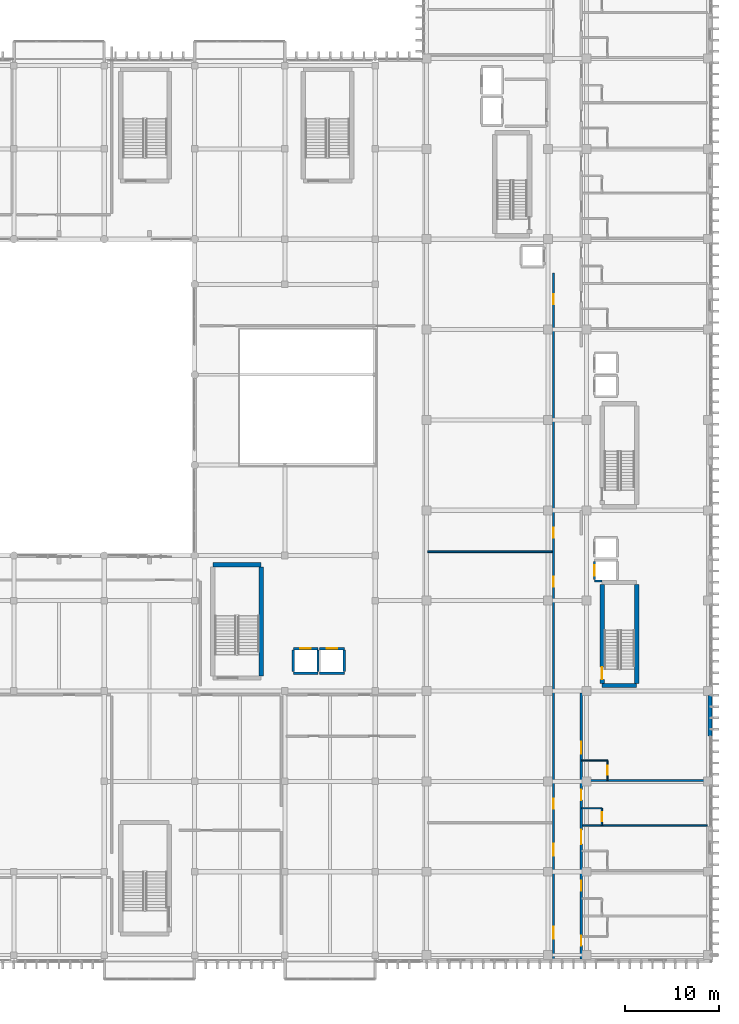
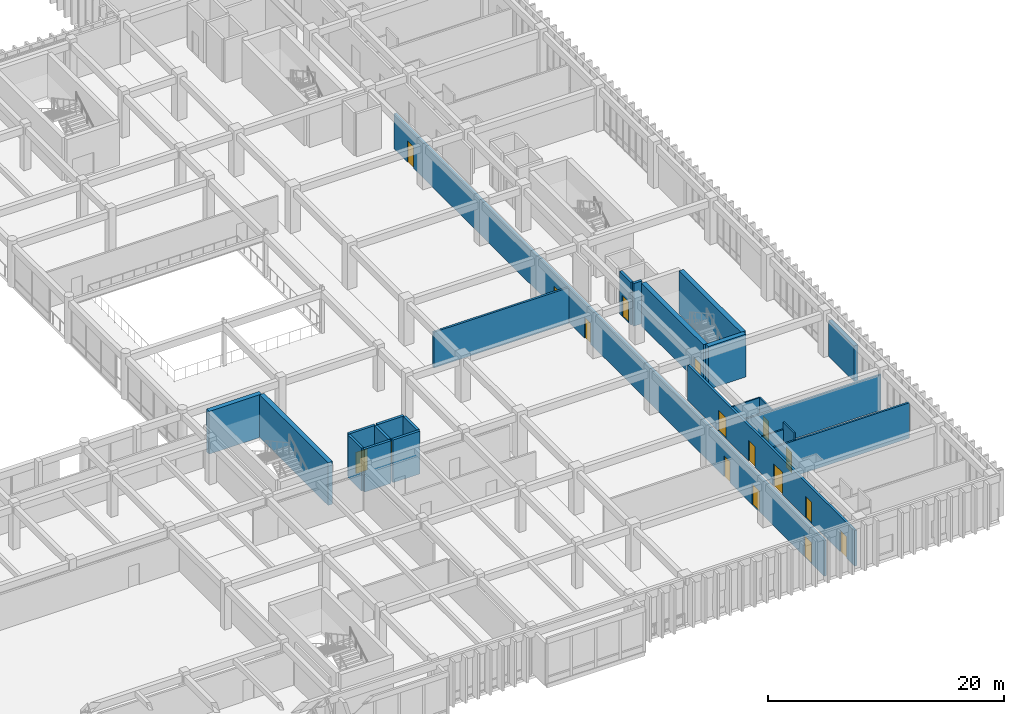
# One storey, part 104 of 133: 24 walls, 17 doors, 17 openings.
"""IFC4 building model written with IfcOpenShell, lengths in metres."""

from ifc_helpers import new_model, si_unit, direction, frame, frame_2d, origin, place, context, subcontext, project, spatial, rectangle, extrude, material, layer, layer_set, type_object, element, fill, save


model = new_model("IFC4")

# Units and contexts
model_context = context("Model", 3, precision=1e-05, world=origin(), true_north=direction((0.0, 1.0)))
body_context = subcontext(model_context, "Body", "Model", "MODEL_VIEW")
ifc_project = project(units=[si_unit("LENGTHUNIT", "METRE"), si_unit("AREAUNIT", "SQUARE_METRE"), si_unit("VOLUMEUNIT", "CUBIC_METRE"), si_unit("PLANEANGLEUNIT", "RADIAN"), si_unit("MASSUNIT", "GRAM", prefix="KILO")], contexts=[model_context])

# Site, building, storey
site_placement = place(None, origin())
site = spatial("IfcSite", under=ifc_project, at=site_placement, CompositionType="ELEMENT")
building_placement = place(site_placement, origin())
building = spatial("IfcBuilding", under=site, at=building_placement, Name="Nakhvara Creek Congress Hotel", CompositionType="ELEMENT")
storey_placement = place(building_placement, frame((0.0, 0.0, 11.39990234375)))
storey = spatial("IfcBuildingStorey", under=building, at=storey_placement, Name="L02", CompositionType="ELEMENT", Elevation=11.39990234375)

# Wall
ifc_material_1 = material(Name="Concrete C50/60", Category="concrete")
ifc_layer_1 = layer(ifc_material_1, 0.449951171875)
ifc_layer_set_1 = layer_set([ifc_layer_1], Name="Concrete C50/60")
wall_type_1 = type_object("IfcWallType", Name="W-CORE-450", PredefinedType="SHEAR", material=ifc_layer_set_1)
wall_1_placement = place(storey_placement, frame((168.10009765625, 29.3798828125, 0.0), z_axis=(0.0, 0.0, 1.0), x_axis=(1.0, 0.0, 0.0)))
element("IfcWall", 1, at=wall_1_placement, inside=storey, type_object=wall_type_1, Name="Core Shear Wall WS02-CWALL-L02-0578", PredefinedType="SHEAR", context=body_context, shape_type="SweptSolid", body=[
    extrude(rectangle(XDim=3.669921875, YDim=0.449951171875, at=frame_2d((1.8349609375, 0.0))), origin(), (0.0, 0.0, 1.0), 4.420166015625),
])

# Wall, opening, door
wall_2_placement = place(storey_placement, frame((168.10009765625, 29.60009765625, 0.0), z_axis=(0.0, 0.0, 1.0), x_axis=(0.0, 1.0, 0.0)))
wall_2 = element("IfcWall", 2, at=wall_2_placement, inside=storey, type_object=wall_type_1, Name="Core Shear Wall WS02-CWALL-L02-0580", PredefinedType="SHEAR", context=body_context, shape_type="SweptSolid", body=[
    extrude(rectangle(XDim=10.5, YDim=0.449951171875, at=frame_2d((5.25, 0.0))), origin(), (0.0, 0.0, 1.0), 4.420166015625),
])
opening_1_placement = place(wall_2_placement, frame((0.449951171875, 0.0, 0.0)))
opening_1 = element("IfcOpeningElement", 3, at=opening_1_placement, cuts=wall_2, Name="Opening FD04", PredefinedType="OPENING", context=body_context, shape_type="SweptSolid", body=[
    extrude(rectangle(XDim=1.300048828125, YDim=2.14990234375, at=frame_2d((0.64990234375, 1.074951171875))), frame((0.0, 0.23681640625, 0.0), z_axis=(0.0, -1.0, 0.0), x_axis=(1.0, 0.0, 0.0)), (0.0, 0.0, 1.0), 0.473876953125),
])
ifc_material_2 = material(Name="Powder-coated steel fire door", Category="steel")
door_type_1 = type_object("IfcDoorType", Name="DT-STAIR-130", OperationType="NOTDEFINED", PredefinedType="DOOR", material=ifc_material_2)
door_1_placement = place(opening_1_placement, origin())
door_1 = element("IfcDoor", 4, at=door_1_placement, inside=storey, type_object=door_type_1, Name="Stair Exit Door ST03-L02", OperationType="SINGLE_SWING_LEFT", OverallHeight=2.14990234375, OverallWidth=1.300048828125, PredefinedType="DOOR", context=body_context, shape_type="SweptSolid", body=[
    extrude(rectangle(XDim=1.300048828125, YDim=2.14990234375, at=frame_2d((0.64990234375, 1.074951171875))), frame((0.0, 0.02490234375, 0.0), z_axis=(0.0, -1.0, 0.0), x_axis=(1.0, 0.0, 0.0)), (0.0, 0.0, 1.0), 0.050048828125),
])
fill(opening_1, door_1)

# Walls
wall_3_placement = place(storey_placement, frame((171.77001953125, 29.60009765625, 0.0), z_axis=(0.0, 0.0, 1.0), x_axis=(0.0, 1.0, 0.0)))
element("IfcWall", 5, at=wall_3_placement, inside=storey, type_object=wall_type_1, Name="Core Shear Wall WS02-CWALL-L02-0581", PredefinedType="SHEAR", context=body_context, shape_type="SweptSolid", body=[
    extrude(rectangle(XDim=10.5, YDim=0.449951171875, at=frame_2d((5.25, 0.0))), origin(), (0.0, 0.0, 1.0), 4.420166015625),
])
wall_4_placement = place(storey_placement, frame((126.72998046875, 42.219970703125, 0.0), z_axis=(0.0, 0.0, 1.0), x_axis=(1.0, 0.0, 0.0)))
element("IfcWall", 6, at=wall_4_placement, inside=storey, type_object=wall_type_1, Name="Core Shear Wall WS02-CWALL-L02-0826", PredefinedType="SHEAR", context=body_context, shape_type="SweptSolid", body=[
    extrude(rectangle(XDim=5.14990234375, YDim=0.449951171875, at=frame_2d((2.574951171875, 0.0))), origin(), (0.0, 0.0, 1.0), 4.420166015625),
])
wall_5_placement = place(storey_placement, frame((131.8798828125, 30.39990234375, 0.0), z_axis=(0.0, 0.0, 1.0), x_axis=(0.0, 1.0, 0.0)))
element("IfcWall", 7, at=wall_5_placement, inside=storey, type_object=wall_type_1, Name="Core Shear Wall WS02-CWALL-L02-0828", PredefinedType="SHEAR", context=body_context, shape_type="SweptSolid", body=[
    extrude(rectangle(XDim=11.60009765625, YDim=0.449951171875, at=frame_2d((5.800048828125, 0.0))), origin(), (0.0, 0.0, 1.0), 4.420166015625),
])

# Wall, openings, doors
ifc_material_3 = material(Name="Gypsum acoustic board on steel stud", Category="steel")
ifc_layer_2 = layer(ifc_material_3, 0.219970703125)
ifc_layer_set_2 = layer_set([ifc_layer_2], Name="Gypsum acoustic board on steel stud")
wall_type_2 = type_object("IfcWallType", Name="W-CORR-220", PredefinedType="PARTITIONING", material=ifc_layer_set_2)
wall_6_placement = place(storey_placement, frame((162.919921875, 0.35009765625, 0.0), z_axis=(0.0, 0.0, 1.0), x_axis=(0.0, 1.0, 0.0)))
wall_6 = element("IfcWall", 8, at=wall_6_placement, inside=storey, type_object=wall_type_2, Name="Interior Wall WP11-IW-L02-0119", PredefinedType="PARTITIONING", context=body_context, shape_type="SweptSolid", body=[
    extrude(rectangle(XDim=72.849853515625, YDim=0.219970703125, at=frame_2d((36.4248046875, 0.0))), origin(), (0.0, 0.0, 1.0), 3.662109375),
])
opening_2_placement = place(wall_6_placement, frame((2.14990234375, 0.0, 0.0)))
opening_2 = element("IfcOpeningElement", 9, at=opening_2_placement, cuts=wall_6, Name="Opening ID07", PredefinedType="OPENING", context=body_context, shape_type="SweptSolid", body=[
    extrude(rectangle(XDim=1.280029296875, YDim=2.159912109375, at=frame_2d((0.64013671875, 1.080078125))), frame((0.0, 0.1220703125, 0.0), z_axis=(0.0, -1.0, 0.0), x_axis=(1.0, 0.0, 0.0)), (0.0, 0.0, 1.0), 0.243896484375),
])
opening_3_placement = place(wall_6_placement, frame((10.949951171875, 0.0, 0.0)))
opening_3 = element("IfcOpeningElement", 10, at=opening_3_placement, cuts=wall_6, Name="Opening ID07", PredefinedType="OPENING", context=body_context, shape_type="SweptSolid", body=[
    extrude(rectangle(XDim=1.280029296875, YDim=2.159912109375, at=frame_2d((0.64013671875, 1.080078125))), frame((0.0, 0.1220703125, 0.0), z_axis=(0.0, -1.0, 0.0), x_axis=(1.0, 0.0, 0.0)), (0.0, 0.0, 1.0), 0.243896484375),
])
opening_4_placement = place(wall_6_placement, frame((15.949951171875, 0.0, 0.0)))
opening_4 = element("IfcOpeningElement", 11, at=opening_4_placement, cuts=wall_6, Name="Opening ID04", PredefinedType="OPENING", context=body_context, shape_type="SweptSolid", body=[
    extrude(rectangle(XDim=1.050048828125, YDim=2.179931640625, at=frame_2d((0.52490234375, 1.08984375))), frame((0.0, 0.1220703125, 0.0), z_axis=(0.0, -1.0, 0.0), x_axis=(1.0, 0.0, 0.0)), (0.0, 0.0, 1.0), 0.243896484375),
])
opening_5_placement = place(wall_6_placement, frame((39.550048828125, 0.0, 0.0)))
opening_5 = element("IfcOpeningElement", 12, at=opening_5_placement, cuts=wall_6, Name="Opening ID04", PredefinedType="OPENING", context=body_context, shape_type="SweptSolid", body=[
    extrude(rectangle(XDim=1.050048828125, YDim=2.179931640625, at=frame_2d((0.52490234375, 1.08984375))), frame((0.0, 0.1220703125, 0.0), z_axis=(0.0, -1.0, 0.0), x_axis=(1.0, 0.0, 0.0)), (0.0, 0.0, 1.0), 0.243896484375),
])
opening_6_placement = place(wall_6_placement, frame((44.75, 0.0, 0.0)))
opening_6 = element("IfcOpeningElement", 13, at=opening_6_placement, cuts=wall_6, Name="Opening GD04", PredefinedType="OPENING", context=body_context, shape_type="SweptSolid", body=[
    extrude(rectangle(XDim=1.050048828125, YDim=2.219970703125, at=frame_2d((0.52490234375, 1.10986328125))), frame((0.0, 0.1220703125, 0.0), z_axis=(0.0, -1.0, 0.0), x_axis=(1.0, 0.0, 0.0)), (0.0, 0.0, 1.0), 0.243896484375),
])
opening_7_placement = place(wall_6_placement, frame((69.550048828125, 0.0, 0.0)))
opening_7 = element("IfcOpeningElement", 14, at=opening_7_placement, cuts=wall_6, Name="Opening GD04", PredefinedType="OPENING", context=body_context, shape_type="SweptSolid", body=[
    extrude(rectangle(XDim=1.050048828125, YDim=2.219970703125, at=frame_2d((0.52490234375, 1.10986328125))), frame((0.0, 0.1220703125, 0.0), z_axis=(0.0, -1.0, 0.0), x_axis=(1.0, 0.0, 0.0)), (0.0, 0.0, 1.0), 0.243896484375),
])
ifc_material_4 = material(Name="Brushed stainless-clad BOH door")
door_type_2 = type_object("IfcDoorType", Name="DT-BOH-128", OperationType="NOTDEFINED", PredefinedType="DOOR", material=ifc_material_4)
door_2_placement = place(opening_2_placement, frame((1.280029296875, 0.0, 0.0), z_axis=(0.0, 0.0, 1.0), x_axis=(-1.0, 0.0, 0.0)))
door_2 = element("IfcDoor", 15, at=door_2_placement, inside=storey, type_object=door_type_2, Name="Interior Door ID07-0153", OperationType="SINGLE_SWING_RIGHT", OverallHeight=2.159912109375, OverallWidth=1.280029296875, PredefinedType="DOOR", context=body_context, shape_type="SweptSolid", body=[
    extrude(rectangle(XDim=1.280029296875, YDim=2.159912109375, at=frame_2d((0.64013671875, 1.080078125))), frame((0.0, 0.02490234375, 0.0), z_axis=(0.0, -1.0, 0.0), x_axis=(1.0, 0.0, 0.0)), (0.0, 0.0, 1.0), 0.050048828125),
])
fill(opening_2, door_2)
door_3_placement = place(opening_3_placement, frame((1.280029296875, 0.0, 0.0), z_axis=(0.0, 0.0, 1.0), x_axis=(-1.0, 0.0, 0.0)))
door_3 = element("IfcDoor", 16, at=door_3_placement, inside=storey, type_object=door_type_2, Name="Interior Door ID07-0154", OperationType="SINGLE_SWING_LEFT", OverallHeight=2.159912109375, OverallWidth=1.280029296875, PredefinedType="DOOR", context=body_context, shape_type="SweptSolid", body=[
    extrude(rectangle(XDim=1.280029296875, YDim=2.159912109375, at=frame_2d((0.64013671875, 1.080078125))), frame((0.0, 0.02490234375, 0.0), z_axis=(0.0, -1.0, 0.0), x_axis=(1.0, 0.0, 0.0)), (0.0, 0.0, 1.0), 0.050048828125),
])
fill(opening_3, door_3)
ifc_material_5 = material(Name="Walnut hardwood timber fire door", Category="wood")
door_type_3 = type_object("IfcDoorType", Name="DT-GUEST-105", OperationType="NOTDEFINED", PredefinedType="DOOR", material=ifc_material_5)
door_4_placement = place(opening_6_placement, frame((1.050048828125, 0.0, 0.0), z_axis=(0.0, 0.0, 1.0), x_axis=(-1.0, 0.0, 0.0)))
door_4 = element("IfcDoor", 17, at=door_4_placement, inside=storey, type_object=door_type_3, Name="Interior Door GD04-0159", OperationType="SINGLE_SWING_RIGHT", OverallHeight=2.219970703125, OverallWidth=1.050048828125, PredefinedType="DOOR", context=body_context, shape_type="SweptSolid", body=[
    extrude(rectangle(XDim=1.050048828125, YDim=2.219970703125, at=frame_2d((0.52490234375, 1.10986328125))), frame((0.0, 0.02490234375, 0.0), z_axis=(0.0, -1.0, 0.0), x_axis=(1.0, 0.0, 0.0)), (0.0, 0.0, 1.0), 0.050048828125),
])
fill(opening_6, door_4)
door_5_placement = place(opening_7_placement, frame((1.050048828125, 0.0, 0.0), z_axis=(0.0, 0.0, 1.0), x_axis=(-1.0, 0.0, 0.0)))
door_5 = element("IfcDoor", 18, at=door_5_placement, inside=storey, type_object=door_type_3, Name="Interior Door GD04-0160", OperationType="SINGLE_SWING_LEFT", OverallHeight=2.219970703125, OverallWidth=1.050048828125, PredefinedType="DOOR", context=body_context, shape_type="SweptSolid", body=[
    extrude(rectangle(XDim=1.050048828125, YDim=2.219970703125, at=frame_2d((0.52490234375, 1.10986328125))), frame((0.0, 0.02490234375, 0.0), z_axis=(0.0, -1.0, 0.0), x_axis=(1.0, 0.0, 0.0)), (0.0, 0.0, 1.0), 0.050048828125),
])
fill(opening_7, door_5)
ifc_material_6 = material(Name="Teak timber & frosted glass spa door", Category="wood")
door_type_4 = type_object("IfcDoorType", Name="DT-SPA-105", OperationType="NOTDEFINED", PredefinedType="DOOR", material=ifc_material_6)
door_6_placement = place(opening_4_placement, frame((1.050048828125, 0.0, 0.0), z_axis=(0.0, 0.0, 1.0), x_axis=(-1.0, 0.0, 0.0)))
door_6 = element("IfcDoor", 19, at=door_6_placement, inside=storey, type_object=door_type_4, Name="Interior Door ID04-0157", OperationType="SINGLE_SWING_RIGHT", OverallHeight=2.179931640625, OverallWidth=1.050048828125, PredefinedType="DOOR", context=body_context, shape_type="SweptSolid", body=[
    extrude(rectangle(XDim=1.050048828125, YDim=2.179931640625, at=frame_2d((0.52490234375, 1.08984375))), frame((0.0, 0.02490234375, 0.0), z_axis=(0.0, -1.0, 0.0), x_axis=(1.0, 0.0, 0.0)), (0.0, 0.0, 1.0), 0.050048828125),
])
fill(opening_4, door_6)
door_7_placement = place(opening_5_placement, frame((1.050048828125, 0.0, 0.0), z_axis=(0.0, 0.0, 1.0), x_axis=(-1.0, 0.0, 0.0)))
door_7 = element("IfcDoor", 20, at=door_7_placement, inside=storey, type_object=door_type_4, Name="Interior Door ID04-0158", OperationType="SINGLE_SWING_LEFT", OverallHeight=2.179931640625, OverallWidth=1.050048828125, PredefinedType="DOOR", context=body_context, shape_type="SweptSolid", body=[
    extrude(rectangle(XDim=1.050048828125, YDim=2.179931640625, at=frame_2d((0.52490234375, 1.08984375))), frame((0.0, 0.02490234375, 0.0), z_axis=(0.0, -1.0, 0.0), x_axis=(1.0, 0.0, 0.0)), (0.0, 0.0, 1.0), 0.050048828125),
])
fill(opening_5, door_7)

wall_7_placement = place(storey_placement, frame((165.8798828125, 0.35009765625, 0.0), z_axis=(0.0, 0.0, 1.0), x_axis=(0.0, 1.0, 0.0)))
wall_7 = element("IfcWall", 21, at=wall_7_placement, inside=storey, type_object=wall_type_2, Name="Interior Wall WP11-IW-L02-0122", PredefinedType="PARTITIONING", context=body_context, shape_type="SweptSolid", body=[
    extrude(rectangle(XDim=28.25, YDim=0.219970703125, at=frame_2d((14.125, 0.0))), origin(), (0.0, 0.0, 1.0), 3.662109375),
])
opening_8_placement = place(wall_7_placement, frame((1.39111328125, 0.0, 0.0)))
opening_8 = element("IfcOpeningElement", 22, at=opening_8_placement, cuts=wall_7, Name="Opening GD02", PredefinedType="OPENING", context=body_context, shape_type="SweptSolid", body=[
    extrude(rectangle(XDim=1.080078125, YDim=2.25, at=frame_2d((0.5400390625, 1.125))), frame((0.0, 0.1220703125, 0.0), z_axis=(0.0, -1.0, 0.0), x_axis=(1.0, 0.0, 0.0)), (0.0, 0.0, 1.0), 0.243896484375),
])
opening_9_placement = place(wall_7_placement, frame((7.2548828125, 0.0, 0.0)))
opening_9 = element("IfcOpeningElement", 23, at=opening_9_placement, cuts=wall_7, Name="Opening GD01", PredefinedType="OPENING", context=body_context, shape_type="SweptSolid", body=[
    extrude(rectangle(XDim=1.02001953125, YDim=2.199951171875, at=frame_2d((0.510009765625, 1.10009765625))), frame((0.0, 0.1220703125, 0.0), z_axis=(0.0, -1.0, 0.0), x_axis=(1.0, 0.0, 0.0)), (0.0, 0.0, 1.0), 0.243896484375),
])
opening_10_placement = place(wall_7_placement, frame((12.18798828125, 0.0, 0.0)))
opening_10 = element("IfcOpeningElement", 24, at=opening_10_placement, cuts=wall_7, Name="Opening GD03", PredefinedType="OPENING", context=body_context, shape_type="SweptSolid", body=[
    extrude(rectangle(XDim=1.5, YDim=2.300048828125, at=frame_2d((0.75, 1.14990234375))), frame((0.0, 0.1220703125, 0.0), z_axis=(0.0, -1.0, 0.0), x_axis=(1.0, 0.0, 0.0)), (0.0, 0.0, 1.0), 0.243896484375),
])
opening_11_placement = place(wall_7_placement, frame((16.85498046875, 0.0, 0.0)))
opening_11 = element("IfcOpeningElement", 25, at=opening_11_placement, cuts=wall_7, Name="Opening BD01", PredefinedType="OPENING", context=body_context, shape_type="SweptSolid", body=[
    extrude(rectangle(XDim=1.1201171875, YDim=2.14990234375, at=frame_2d((0.56005859375, 1.074951171875))), frame((0.0, 0.1220703125, 0.0), z_axis=(0.0, -1.0, 0.0), x_axis=(1.0, 0.0, 0.0)), (0.0, 0.0, 1.0), 0.243896484375),
])
opening_12_placement = place(wall_7_placement, frame((21.7880859375, 0.0, 0.0)))
opening_12 = element("IfcOpeningElement", 26, at=opening_12_placement, cuts=wall_7, Name="Opening ID07", PredefinedType="OPENING", context=body_context, shape_type="SweptSolid", body=[
    extrude(rectangle(XDim=1.280029296875, YDim=2.159912109375, at=frame_2d((0.64013671875, 1.080078125))), frame((0.0, 0.1220703125, 0.0), z_axis=(0.0, -1.0, 0.0), x_axis=(1.0, 0.0, 0.0)), (0.0, 0.0, 1.0), 0.243896484375),
])
door_8_placement = place(opening_12_placement, origin())
door_8 = element("IfcDoor", 27, at=door_8_placement, inside=storey, type_object=door_type_2, Name="Interior Door ID07-0169", OperationType="SINGLE_SWING_RIGHT", OverallHeight=2.159912109375, OverallWidth=1.280029296875, PredefinedType="DOOR", context=body_context, shape_type="SweptSolid", body=[
    extrude(rectangle(XDim=1.280029296875, YDim=2.159912109375, at=frame_2d((0.64013671875, 1.080078125))), frame((0.0, 0.02490234375, 0.0), z_axis=(0.0, -1.0, 0.0), x_axis=(1.0, 0.0, 0.0)), (0.0, 0.0, 1.0), 0.050048828125),
])
fill(opening_12, door_8)
door_type_5 = type_object("IfcDoorType", Name="DT-GUEST-102", OperationType="NOTDEFINED", PredefinedType="DOOR", material=ifc_material_5)
door_9_placement = place(opening_9_placement, origin())
door_9 = element("IfcDoor", 28, at=door_9_placement, inside=storey, type_object=door_type_5, Name="Interior Door GD01-0163", OperationType="SINGLE_SWING_RIGHT", OverallHeight=2.199951171875, OverallWidth=1.02001953125, PredefinedType="DOOR", context=body_context, shape_type="SweptSolid", body=[
    extrude(rectangle(XDim=1.02001953125, YDim=2.199951171875, at=frame_2d((0.510009765625, 1.10009765625))), frame((0.0, 0.02490234375, 0.0), z_axis=(0.0, -1.0, 0.0), x_axis=(1.0, 0.0, 0.0)), (0.0, 0.0, 1.0), 0.050048828125),
])
fill(opening_9, door_9)
door_type_6 = type_object("IfcDoorType", Name="DT-GUEST-108", OperationType="NOTDEFINED", PredefinedType="DOOR", material=ifc_material_5)
door_10_placement = place(opening_8_placement, origin())
door_10 = element("IfcDoor", 29, at=door_10_placement, inside=storey, type_object=door_type_6, Name="Interior Door GD02-0161", OperationType="SINGLE_SWING_RIGHT", OverallHeight=2.25, OverallWidth=1.080078125, PredefinedType="DOOR", context=body_context, shape_type="SweptSolid", body=[
    extrude(rectangle(XDim=1.080078125, YDim=2.25, at=frame_2d((0.5400390625, 1.125))), frame((0.0, 0.02490234375, 0.0), z_axis=(0.0, -1.0, 0.0), x_axis=(1.0, 0.0, 0.0)), (0.0, 0.0, 1.0), 0.050048828125),
])
fill(opening_8, door_10)
ifc_material_7 = material(Name="Hardwood-faced service fire door", Category="wood")
door_type_7 = type_object("IfcDoorType", Name="DT-HK-112", OperationType="NOTDEFINED", PredefinedType="DOOR", material=ifc_material_7)
door_11_placement = place(opening_11_placement, origin())
door_11 = element("IfcDoor", 30, at=door_11_placement, inside=storey, type_object=door_type_7, Name="Interior Door BD01-0167", OperationType="SINGLE_SWING_RIGHT", OverallHeight=2.14990234375, OverallWidth=1.1201171875, PredefinedType="DOOR", context=body_context, shape_type="SweptSolid", body=[
    extrude(rectangle(XDim=1.1201171875, YDim=2.14990234375, at=frame_2d((0.56005859375, 1.074951171875))), frame((0.0, 0.02490234375, 0.0), z_axis=(0.0, -1.0, 0.0), x_axis=(1.0, 0.0, 0.0)), (0.0, 0.0, 1.0), 0.050048828125),
])
fill(opening_11, door_11)
ifc_material_8 = material(Name="Walnut hardwood double fire door", Category="wood")
door_type_8 = type_object("IfcDoorType", Name="DT-SUITE-150", OperationType="DOUBLE_DOOR_SINGLE_SWING", PredefinedType="DOOR", material=ifc_material_8)
door_12_placement = place(opening_10_placement, origin())
door_12 = element("IfcDoor", 31, at=door_12_placement, inside=storey, type_object=door_type_8, Name="Interior Door GD03-0165", OperationType="DOUBLE_DOOR_SINGLE_SWING", OverallHeight=2.300048828125, OverallWidth=1.5, PredefinedType="DOOR", context=body_context, shape_type="SweptSolid", body=[
    extrude(rectangle(XDim=1.5, YDim=2.300048828125, at=frame_2d((0.75, 1.14990234375))), frame((0.0, 0.02490234375, 0.0), z_axis=(0.0, -1.0, 0.0), x_axis=(1.0, 0.0, 0.0)), (0.0, 0.0, 1.0), 0.050048828125),
])
fill(opening_10, door_12)

# Wall, opening, door
ifc_material_9 = material(Name="Moisture-resistant gypsum board partition")
ifc_layer_3 = layer(ifc_material_9, 0.139892578125)
ifc_layer_set_3 = layer_set([ifc_layer_3], Name="Moisture-resistant gypsum board partition")
wall_type_3 = type_object("IfcWallType", Name="W-ENS-140", PredefinedType="PARTITIONING", material=ifc_layer_set_3)
wall_8_placement = place(storey_placement, frame((168.070068359375, 14.5, 0.0), z_axis=(0.0, 0.0, 1.0), x_axis=(0.0, 1.0, 0.0)))
wall_8 = element("IfcWall", 32, at=wall_8_placement, inside=storey, type_object=wall_type_3, Name="Interior Wall WP15-IW-L02-0168", PredefinedType="PARTITIONING", context=body_context, shape_type="SweptSolid", body=[
    extrude(rectangle(XDim=1.85009765625, YDim=0.139892578125, at=frame_2d((0.925048828125, 0.0))), origin(), (0.0, 0.0, 1.0), 4.420166015625),
])
opening_13_placement = place(wall_8_placement, frame((0.449951171875, 0.0, 0.0)))
opening_13 = element("IfcOpeningElement", 33, at=opening_13_placement, cuts=wall_8, Name="Opening ID02", PredefinedType="OPENING", context=body_context, shape_type="SweptSolid", body=[
    extrude(rectangle(XDim=0.9599609375, YDim=2.1201171875, at=frame_2d((0.47998046875, 1.06005859375))), frame((0.0, 0.08203125, 0.0), z_axis=(0.0, -1.0, 0.0), x_axis=(1.0, 0.0, 0.0)), (0.0, 0.0, 1.0), 0.163818359375),
])
ifc_material_10 = material(Name="Moisture-resistant walnut timber door", Category="wood")
door_type_9 = type_object("IfcDoorType", Name="DT-ENS-096", OperationType="NOTDEFINED", PredefinedType="DOOR", material=ifc_material_10)
door_13_placement = place(opening_13_placement, frame((0.9599609375, 0.0, 0.0), z_axis=(0.0, 0.0, 1.0), x_axis=(-1.0, 0.0, 0.0)))
door_13 = element("IfcDoor", 34, at=door_13_placement, inside=storey, type_object=door_type_9, Name="Interior Door ID02-0168", OperationType="SINGLE_SWING_LEFT", OverallHeight=2.1201171875, OverallWidth=0.9599609375, PredefinedType="DOOR", context=body_context, shape_type="SweptSolid", body=[
    extrude(rectangle(XDim=0.9599609375, YDim=2.1201171875, at=frame_2d((0.47998046875, 1.06005859375))), frame((0.0, 0.02490234375, 0.0), z_axis=(0.0, -1.0, 0.0), x_axis=(1.0, 0.0, 0.0)), (0.0, 0.0, 1.0), 0.050048828125),
])
fill(opening_13, door_13)

# Wall
wall_9_placement = place(storey_placement, frame((165.919921875, 16.35009765625, 0.0), z_axis=(0.0, 0.0, 1.0), x_axis=(1.0, 0.0, 0.0)))
element("IfcWall", 35, at=wall_9_placement, inside=storey, type_object=wall_type_3, Name="Interior Wall WP15-IW-L02-0169", PredefinedType="PARTITIONING", context=body_context, shape_type="SweptSolid", body=[
    extrude(rectangle(XDim=2.150146484375, YDim=0.139892578125, at=frame_2d((1.0751953125, 0.0))), origin(), (0.0, 0.0, 1.0), 3.692138671875),
])

# Wall, opening, door
wall_10_placement = place(storey_placement, frame((168.669921875, 19.300048828125, 0.0), z_axis=(0.0, 0.0, 1.0), x_axis=(0.0, 1.0, 0.0)))
wall_10 = element("IfcWall", 36, at=wall_10_placement, inside=storey, type_object=wall_type_3, Name="Interior Wall WP15-IW-L02-0171", PredefinedType="PARTITIONING", context=body_context, shape_type="SweptSolid", body=[
    extrude(rectangle(XDim=2.115966796875, YDim=0.139892578125, at=frame_2d((1.05810546875, 0.0))), origin(), (0.0, 0.0, 1.0), 3.692138671875),
])
opening_14_placement = place(wall_10_placement, frame((0.5830078125, 0.0, 0.0)))
opening_14 = element("IfcOpeningElement", 37, at=opening_14_placement, cuts=wall_10, Name="Opening ID02", PredefinedType="OPENING", context=body_context, shape_type="SweptSolid", body=[
    extrude(rectangle(XDim=0.9599609375, YDim=2.1201171875, at=frame_2d((0.47998046875, 1.06005859375))), frame((0.0, 0.08203125, 0.0), z_axis=(0.0, -1.0, 0.0), x_axis=(1.0, 0.0, 0.0)), (0.0, 0.0, 1.0), 0.163818359375),
])
door_14_placement = place(opening_14_placement, frame((0.9599609375, 0.0, 0.0), z_axis=(0.0, 0.0, 1.0), x_axis=(-1.0, 0.0, 0.0)))
door_14 = element("IfcDoor", 38, at=door_14_placement, inside=storey, type_object=door_type_9, Name="Interior Door ID02-0170", OperationType="SINGLE_SWING_LEFT", OverallHeight=2.1201171875, OverallWidth=0.9599609375, PredefinedType="DOOR", context=body_context, shape_type="SweptSolid", body=[
    extrude(rectangle(XDim=0.9599609375, YDim=2.1201171875, at=frame_2d((0.47998046875, 1.06005859375))), frame((0.0, 0.02490234375, 0.0), z_axis=(0.0, -1.0, 0.0), x_axis=(1.0, 0.0, 0.0)), (0.0, 0.0, 1.0), 0.050048828125),
])
fill(opening_14, door_14)

# Walls
wall_11_placement = place(storey_placement, frame((165.919921875, 21.416015625, 0.0), z_axis=(0.0, 0.0, 1.0), x_axis=(1.0, 0.0, 0.0)))
element("IfcWall", 39, at=wall_11_placement, inside=storey, type_object=wall_type_3, Name="Interior Wall WP15-IW-L02-0172", PredefinedType="PARTITIONING", context=body_context, shape_type="SweptSolid", body=[
    extrude(rectangle(XDim=2.75, YDim=0.139892578125, at=frame_2d((1.375, 0.0))), origin(), (0.0, 0.0, 1.0), 3.692138671875),
])
ifc_material_11 = material(Name="Honed pale Omani limestone cladding", Category="masonry")
ifc_layer_4 = layer(ifc_material_11, 0.050048828125)
ifc_material_12 = material(Name="Mineral wool thermal insulation")
ifc_layer_5 = layer(ifc_material_12, 0.110107421875)
ifc_material_13 = material(Name="Precast concrete C40/50", Category="concrete")
ifc_layer_6 = layer(ifc_material_13, 0.219970703125)
ifc_layer_set_4 = layer_set([ifc_layer_4, ifc_layer_5, ifc_layer_6], Name="Precast concrete C40/50")
wall_type_4 = type_object("IfcWallType", Name="W-EXT-380", PredefinedType="SOLIDWALL", material=ifc_layer_set_4)
wall_12_placement = place(storey_placement, frame((179.56005859375, 28.35009765625, 0.0), z_axis=(0.0, 0.0, 1.0), x_axis=(0.0, -1.0, 0.0)))
element("IfcWall", 40, at=wall_12_placement, inside=storey, type_object=wall_type_4, Name="Exterior Wall WE03-EW-L02-0110", PredefinedType="SOLIDWALL", context=body_context, shape_type="SweptSolid", body=[
    extrude(rectangle(XDim=4.35009765625, YDim=0.3798828125, at=frame_2d((2.175048828125, 0.0))), origin(), (0.0, 0.0, 1.0), 3.662109375),
])
ifc_layer_7 = layer(ifc_material_3, 0.179931640625)
ifc_layer_set_5 = layer_set([ifc_layer_7], Name="Gypsum acoustic board on steel stud")
wall_type_5 = type_object("IfcWallType", Name="W-MEET-180", PredefinedType="PARTITIONING", material=ifc_layer_set_5)
for number, where, z_axis, x_axis, name in (
    (41, (166.02001953125, 14.5, 0.0), (0.0, 0.0, 1.0), (1.0, 0.0, 0.0), "Interior Wall WP13-IW-L02-0167"),
    (42, (166.02001953125, 19.300048828125, 0.0), (0.0, 0.0, 1.0), (1.0, 0.0, 0.0), "Interior Wall WP13-IW-L02-0170"),
):
    element("IfcWall", number, at=place(storey_placement, frame(where, z_axis=z_axis, x_axis=x_axis)), inside=storey, type_object=wall_type_5, Name=name, PredefinedType="PARTITIONING", context=body_context, shape_type="SweptSolid", body=[
        extrude(rectangle(XDim=13.22998046875, YDim=0.179931640625, at=frame_2d((6.614990234375, 0.0))), origin(), (0.0, 0.0, 1.0), 3.662109375),
    ])
ifc_layer_8 = layer(ifc_material_3, 0.199951171875)
ifc_layer_set_6 = layer_set([ifc_layer_8], Name="Gypsum acoustic board on steel stud")
wall_type_6 = type_object("IfcWallType", Name="W-PART-200", PredefinedType="PARTITIONING", material=ifc_layer_set_6)
wall_13_placement = place(storey_placement, frame((149.550048828125, 43.60009765625, 0.0), z_axis=(0.0, 0.0, 1.0), x_axis=(1.0, 0.0, 0.0)))
element("IfcWall", 43, at=wall_13_placement, inside=storey, type_object=wall_type_6, Name="Interior Wall WP12-IW-L02-0158", PredefinedType="PARTITIONING", context=body_context, shape_type="SweptSolid", body=[
    extrude(rectangle(XDim=13.22998046875, YDim=0.199951171875, at=frame_2d((6.614990234375, 0.0))), origin(), (0.0, 0.0, 1.0), 3.692138671875),
])
ifc_material_14 = material(Name="Concrete C40/50", Category="concrete")
ifc_layer_9 = layer(ifc_material_14, 0.25)
ifc_layer_set_7 = layer_set([ifc_layer_9], Name="Concrete C40/50")
wall_type_7 = type_object("IfcWallType", Name="W-SHAFT-250", PredefinedType="SOLIDWALL", material=ifc_layer_set_7)
wall_14_placement = place(storey_placement, frame((167.2900390625, 40.489990234375, 0.0), z_axis=(0.0, 0.0, 1.0), x_axis=(1.0, 0.0, 0.0)))
element("IfcWall", 44, at=wall_14_placement, inside=storey, type_object=wall_type_7, Name="Core Shear Wall WI02-CWALL-L02-0582", PredefinedType="SOLIDWALL", context=body_context, shape_type="SweptSolid", body=[
    extrude(rectangle(XDim=0.800048828125, YDim=0.25, at=frame_2d((0.39990234375, 0.0))), origin(), (0.0, 0.0, 1.0), 4.420166015625),
])

# Wall, opening, door
wall_15_placement = place(storey_placement, frame((167.2900390625, 40.64990234375, 0.0), z_axis=(0.0, 0.0, 1.0), x_axis=(0.0, 1.0, 0.0)))
wall_15 = element("IfcWall", 45, at=wall_15_placement, inside=storey, type_object=wall_type_7, Name="Core Shear Wall WI02-CWALL-L02-0584", PredefinedType="SOLIDWALL", context=body_context, shape_type="SweptSolid", body=[
    extrude(rectangle(XDim=1.900146484375, YDim=0.25, at=frame_2d((0.9501953125, 0.0))), origin(), (0.0, 0.0, 1.0), 4.420166015625),
])
opening_15_placement = place(wall_15_placement, frame((0.39990234375, 0.0, 0.0)))
opening_15 = element("IfcOpeningElement", 46, at=opening_15_placement, cuts=wall_15, Name="Opening LD01", PredefinedType="OPENING", context=body_context, shape_type="SweptSolid", body=[
    extrude(rectangle(XDim=1.10009765625, YDim=2.199951171875, at=frame_2d((0.550048828125, 1.10009765625))), frame((0.0, 0.136962890625, 0.0), z_axis=(0.0, -1.0, 0.0), x_axis=(1.0, 0.0, 0.0)), (0.0, 0.0, 1.0), 0.27392578125),
])
ifc_material_15 = material(Name="Brushed stainless steel sliding landing door", Category="steel")
door_type_10 = type_object("IfcDoorType", Name="DT-LIFT-110", OperationType="DOUBLE_DOOR_SLIDING", PredefinedType="DOOR", material=ifc_material_15)
door_15_placement = place(opening_15_placement, origin())
door_15 = element("IfcDoor", 47, at=door_15_placement, inside=storey, type_object=door_type_10, Name="Landing Door PL03-L02", OperationType="SLIDING_TO_LEFT", OverallHeight=2.199951171875, OverallWidth=1.10009765625, PredefinedType="DOOR", context=body_context, shape_type="SweptSolid", body=[
    extrude(rectangle(XDim=1.10009765625, YDim=2.199951171875, at=frame_2d((0.550048828125, 1.10009765625))), frame((0.0, 0.02490234375, 0.0), z_axis=(0.0, -1.0, 0.0), x_axis=(1.0, 0.0, 0.0)), (0.0, 0.0, 1.0), 0.050048828125),
])
fill(opening_15, door_15)

# Wall
wall_16_placement = place(storey_placement, frame((135.2900390625, 30.68994140625, 0.0), z_axis=(0.0, 0.0, 1.0), x_axis=(1.0, 0.0, 0.0)))
element("IfcWall", 48, at=wall_16_placement, inside=storey, type_object=wall_type_7, Name="Core Shear Wall WI02-CWALL-L02-0829", PredefinedType="SOLIDWALL", context=body_context, shape_type="SweptSolid", body=[
    extrude(rectangle(XDim=2.619873046875, YDim=0.25, at=frame_2d((1.31005859375, 0.0))), origin(), (0.0, 0.0, 1.0), 4.420166015625),
])

# Wall, opening, door
wall_17_placement = place(storey_placement, frame((135.2900390625, 33.31005859375, 0.0), z_axis=(0.0, 0.0, 1.0), x_axis=(1.0, 0.0, 0.0)))
wall_17 = element("IfcWall", 49, at=wall_17_placement, inside=storey, type_object=wall_type_7, Name="Core Shear Wall WI02-CWALL-L02-0830", PredefinedType="SOLIDWALL", context=body_context, shape_type="SweptSolid", body=[
    extrude(rectangle(XDim=2.619873046875, YDim=0.25, at=frame_2d((1.31005859375, 0.0))), origin(), (0.0, 0.0, 1.0), 4.420166015625),
])
opening_16_placement = place(wall_17_placement, frame((0.760009765625, 0.0, 0.0)))
opening_16 = element("IfcOpeningElement", 50, at=opening_16_placement, cuts=wall_17, Name="Opening LD01", PredefinedType="OPENING", context=body_context, shape_type="SweptSolid", body=[
    extrude(rectangle(XDim=1.10009765625, YDim=2.199951171875, at=frame_2d((0.550048828125, 1.10009765625))), frame((0.0, 0.136962890625, 0.0), z_axis=(0.0, -1.0, 0.0), x_axis=(1.0, 0.0, 0.0)), (0.0, 0.0, 1.0), 0.27392578125),
])
door_16_placement = place(opening_16_placement, origin())
door_16 = element("IfcDoor", 51, at=door_16_placement, inside=storey, type_object=door_type_10, Name="Landing Door CL03-L02", OperationType="SLIDING_TO_LEFT", OverallHeight=2.199951171875, OverallWidth=1.10009765625, PredefinedType="DOOR", context=body_context, shape_type="SweptSolid", body=[
    extrude(rectangle(XDim=1.10009765625, YDim=2.199951171875, at=frame_2d((0.550048828125, 1.10009765625))), frame((0.0, 0.02490234375, 0.0), z_axis=(0.0, -1.0, 0.0), x_axis=(1.0, 0.0, 0.0)), (0.0, 0.0, 1.0), 0.050048828125),
])
fill(opening_16, door_16)

# Walls
for number, where, z_axis, x_axis, name in (
    (52, (135.2900390625, 30.85009765625, 0.0), (0.0, 0.0, 1.0), (0.0, 1.0, 0.0), "Core Shear Wall WI02-CWALL-L02-0831"),
    (53, (137.909912109375, 30.85009765625, 0.0), (0.0, 0.0, 1.0), (0.0, 1.0, 0.0), "Core Shear Wall WI02-CWALL-L02-0832"),
):
    element("IfcWall", number, at=place(storey_placement, frame(where, z_axis=z_axis, x_axis=x_axis)), inside=storey, type_object=wall_type_7, Name=name, PredefinedType="SOLIDWALL", context=body_context, shape_type="SweptSolid", body=[
        extrude(rectangle(XDim=2.2998046875, YDim=0.25, at=frame_2d((1.14990234375, 0.0))), origin(), (0.0, 0.0, 1.0), 4.420166015625),
    ])
wall_18_placement = place(storey_placement, frame((138.090087890625, 30.68994140625, 0.0), z_axis=(0.0, 0.0, 1.0), x_axis=(1.0, 0.0, 0.0)))
element("IfcWall", 54, at=wall_18_placement, inside=storey, type_object=wall_type_7, Name="Core Shear Wall WI02-CWALL-L02-0833", PredefinedType="SOLIDWALL", context=body_context, shape_type="SweptSolid", body=[
    extrude(rectangle(XDim=2.619873046875, YDim=0.25, at=frame_2d((1.31005859375, 0.0))), origin(), (0.0, 0.0, 1.0), 4.420166015625),
])

# Wall, opening, door
wall_19_placement = place(storey_placement, frame((138.090087890625, 33.31005859375, 0.0), z_axis=(0.0, 0.0, 1.0), x_axis=(1.0, 0.0, 0.0)))
wall_19 = element("IfcWall", 55, at=wall_19_placement, inside=storey, type_object=wall_type_7, Name="Core Shear Wall WI02-CWALL-L02-0834", PredefinedType="SOLIDWALL", context=body_context, shape_type="SweptSolid", body=[
    extrude(rectangle(XDim=2.619873046875, YDim=0.25, at=frame_2d((1.31005859375, 0.0))), origin(), (0.0, 0.0, 1.0), 4.420166015625),
])
opening_17_placement = place(wall_19_placement, frame((0.760009765625, 0.0, 0.0)))
opening_17 = element("IfcOpeningElement", 56, at=opening_17_placement, cuts=wall_19, Name="Opening LD01", PredefinedType="OPENING", context=body_context, shape_type="SweptSolid", body=[
    extrude(rectangle(XDim=1.10009765625, YDim=2.199951171875, at=frame_2d((0.550048828125, 1.10009765625))), frame((0.0, 0.136962890625, 0.0), z_axis=(0.0, -1.0, 0.0), x_axis=(1.0, 0.0, 0.0)), (0.0, 0.0, 1.0), 0.27392578125),
])
door_17_placement = place(opening_17_placement, origin())
door_17 = element("IfcDoor", 57, at=door_17_placement, inside=storey, type_object=door_type_10, Name="Landing Door CL04-L02", OperationType="SLIDING_TO_LEFT", OverallHeight=2.199951171875, OverallWidth=1.10009765625, PredefinedType="DOOR", context=body_context, shape_type="SweptSolid", body=[
    extrude(rectangle(XDim=1.10009765625, YDim=2.199951171875, at=frame_2d((0.550048828125, 1.10009765625))), frame((0.0, 0.02490234375, 0.0), z_axis=(0.0, -1.0, 0.0), x_axis=(1.0, 0.0, 0.0)), (0.0, 0.0, 1.0), 0.050048828125),
])
fill(opening_17, door_17)

# Wall
wall_20_placement = place(storey_placement, frame((140.7099609375, 30.85009765625, 0.0), z_axis=(0.0, 0.0, 1.0), x_axis=(0.0, 1.0, 0.0)))
element("IfcWall", 58, at=wall_20_placement, inside=storey, type_object=wall_type_7, Name="Core Shear Wall WI02-CWALL-L02-0835", PredefinedType="SOLIDWALL", context=body_context, shape_type="SweptSolid", body=[
    extrude(rectangle(XDim=2.2998046875, YDim=0.25, at=frame_2d((1.14990234375, 0.0))), origin(), (0.0, 0.0, 1.0), 4.420166015625),
])

save(model, "model.ifc")
